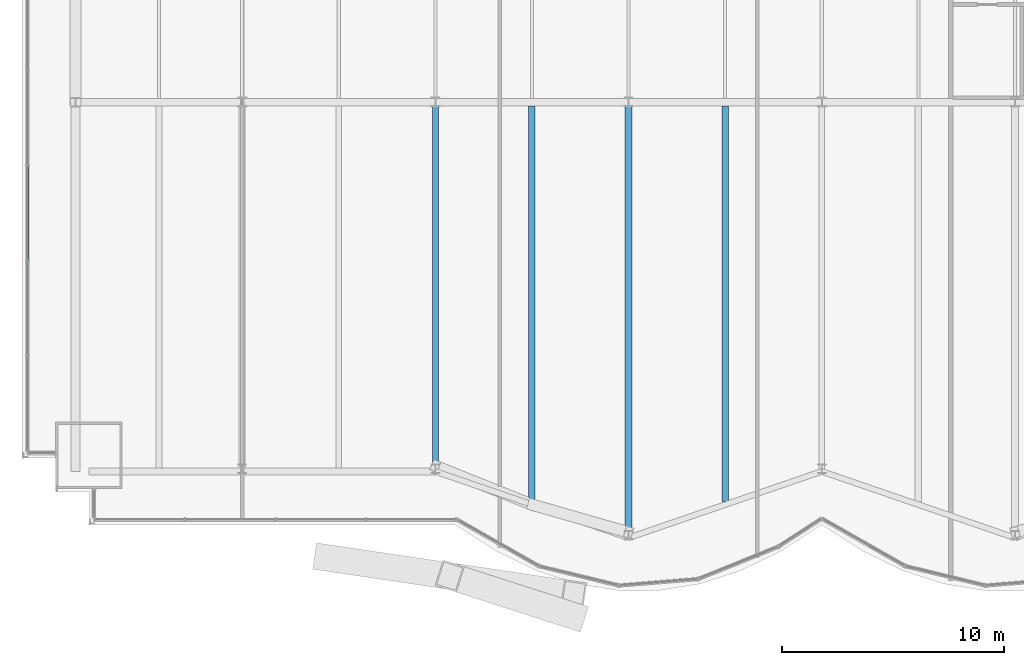
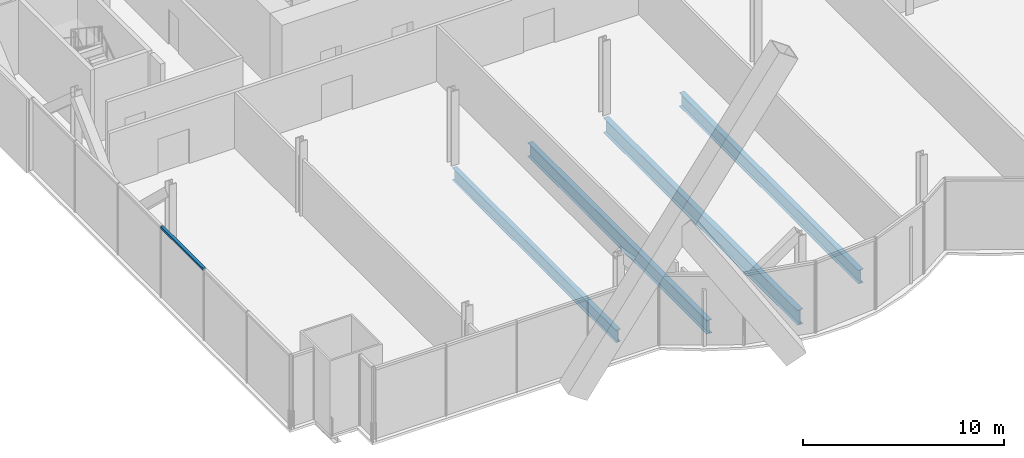
# One storey, part 6 of 23: 4 beams, 1 member, 1 element without a shape of its own.
"""IFC4 building model written with IfcOpenShell, lengths in metres."""

from ifc_helpers import new_model, si_unit, direction, frame, origin, origin_2d, place, context, subcontext, project, spatial, rectangle, i_section, extrude, material, material_profile, profile_set, type_object, element, aggregate, save


model = new_model("IFC4")

# Units and contexts
model_context = context("Model", 3, precision=1e-05, world=origin(), true_north=direction((0.0, 1.0)))
body_context = subcontext(model_context, "Body", "Model", "MODEL_VIEW")
ifc_project = project(units=[si_unit("LENGTHUNIT", "METRE"), si_unit("AREAUNIT", "SQUARE_METRE"), si_unit("VOLUMEUNIT", "CUBIC_METRE"), si_unit("PLANEANGLEUNIT", "RADIAN"), si_unit("MASSUNIT", "GRAM", prefix="KILO")], contexts=[model_context])

# Site, building, storey
site_placement = place(None, origin())
site = spatial("IfcSite", under=ifc_project, at=site_placement, CompositionType="ELEMENT")
building_placement = place(site_placement, origin())
building = spatial("IfcBuilding", under=site, at=building_placement, Name="Bicima Exchange Tower", CompositionType="ELEMENT")
storey_placement = place(building_placement, frame((0.0, 0.0, 53.0)))
storey = spatial("IfcBuildingStorey", under=building, at=storey_placement, Name="L10", CompositionType="ELEMENT", Elevation=53.0)

# Curtain wall, member
ifc_material_1 = material(Name="Anodised bronze aluminium", Category="aluminium")
curtain_wall_type = type_object("IfcCurtainWallType", Name="End face glass wall", PredefinedType="NOTDEFINED", material=ifc_material_1)
curtain_wall_placement = place(storey_placement, origin())
curtain_wall = element("IfcCurtainWall", 1, at=curtain_wall_placement, inside=storey, type_object=curtain_wall_type, Name="End face glass wall L10 run 2", PredefinedType="NOTDEFINED")
ifc_material_profile_1 = material_profile(ifc_material_1, rectangle(XDim=0.159912109375, YDim=0.139892578125, at=origin_2d()))
ifc_profile_set_1 = profile_set([ifc_material_profile_1], Name="Anodised bronze aluminium")
member_type = type_object("IfcMemberType", Name="End face glass wall transom 140 x 160", PredefinedType="USERDEFINED", material=ifc_profile_set_1)
member_placement = place(storey_placement, frame((-35.77001953125, -24.886962890625, 4.280029296875), z_axis=(0.0, -1.0, 0.0), x_axis=(1.0, 0.0, 0.0)))
member = element("IfcMember", 2, at=member_placement, type_object=member_type, Name="End face glass wall transom 4.1", ObjectType="TRANSOM", PredefinedType="USERDEFINED", context=body_context, shape_type="SweptSolid", body=[
    extrude(rectangle(XDim=0.159912109375, YDim=0.139892578125, at=origin_2d()), origin(), (0.0, 0.0, 1.0), 4.2158203125),
])
aggregate(curtain_wall, [member])

# Beams
ifc_material_2 = material(Name="Steel ASTM A992 Gr 50", Category="steel")
ifc_material_profile_2 = material_profile(ifc_material_2, i_section(OverallWidth=0.2666015625, OverallDepth=0.75439453125, WebThickness=0.01318359375, FlangeThickness=0.01708984375, at=origin_2d()))
ifc_profile_set_2 = profile_set([ifc_material_profile_2], Name="Steel ASTM A992 Gr 50")
beam_type_1 = type_object("IfcBeamType", Name="Floor beam W30x99", PredefinedType="JOIST", material=ifc_profile_set_2)
beam_1_placement = place(storey_placement, frame((-17.39990234375, -22.16259765625, -0.527099609375), z_axis=(0.0, -1.0, 0.0), x_axis=(1.0, 0.0, 0.0)))
element("IfcBeam", 3, at=beam_1_placement, inside=storey, type_object=beam_type_1, Name="Floor beam", PredefinedType="JOIST", context=body_context, shape_type="SweptSolid", body=[
    extrude(i_section(OverallWidth=0.2666015625, OverallDepth=0.75439453125, WebThickness=0.01318359375, FlangeThickness=0.01708984375, at=origin_2d()), origin(), (0.0, 0.0, 1.0), 16.298828125),
])
ifc_material_profile_3 = material_profile(ifc_material_2, i_section(OverallWidth=0.2919921875, OverallDepth=0.835693359375, WebThickness=0.013916015625, FlangeThickness=0.018798828125, at=origin_2d()))
ifc_profile_set_3 = profile_set([ifc_material_profile_3], Name="Steel ASTM A992 Gr 50")
beam_type_2 = type_object("IfcBeamType", Name="Floor beam W33x118", PredefinedType="JOIST", material=ifc_profile_set_3)
for number, where, z_axis, x_axis, name in (
    (4, (-13.050048828125, -22.16259765625, -0.56787109375), (0.0, -1.0, 0.0), (1.0, 0.0, 0.0), "Floor beam"),
    (5, (-4.35009765625, -22.16259765625, -0.56787109375), (0.0, -1.0, 0.0), (1.0, 0.0, 0.0), "Floor beam"),
):
    element("IfcBeam", number, at=place(storey_placement, frame(where, z_axis=z_axis, x_axis=x_axis)), inside=storey, type_object=beam_type_2, Name=name, PredefinedType="JOIST", context=body_context, shape_type="SweptSolid", body=[
        extrude(i_section(OverallWidth=0.2919921875, OverallDepth=0.835693359375, WebThickness=0.013916015625, FlangeThickness=0.018798828125, at=origin_2d()), origin(), (0.0, 0.0, 1.0), 17.8212890625),
    ])
ifc_material_profile_4 = material_profile(ifc_material_2, i_section(OverallWidth=0.3046875, OverallDepth=0.904296875, WebThickness=0.01513671875, FlangeThickness=0.02001953125, at=origin_2d()))
ifc_profile_set_4 = profile_set([ifc_material_profile_4], Name="Steel ASTM A992 Gr 50")
beam_type_3 = type_object("IfcBeamType", Name="Floor beam W36x135", PredefinedType="JOIST", material=ifc_profile_set_4)
beam_2_placement = place(storey_placement, frame((-8.699951171875, -22.16259765625, -0.60205078125), z_axis=(0.0, -1.0, 0.0), x_axis=(1.0, 0.0, 0.0)))
element("IfcBeam", 6, at=beam_2_placement, inside=storey, type_object=beam_type_3, Name="Floor beam", PredefinedType="JOIST", context=body_context, shape_type="SweptSolid", body=[
    extrude(i_section(OverallWidth=0.3046875, OverallDepth=0.904296875, WebThickness=0.01513671875, FlangeThickness=0.02001953125, at=origin_2d()), origin(), (0.0, 0.0, 1.0), 19.31689453125),
])

save(model, "model.ifc")
